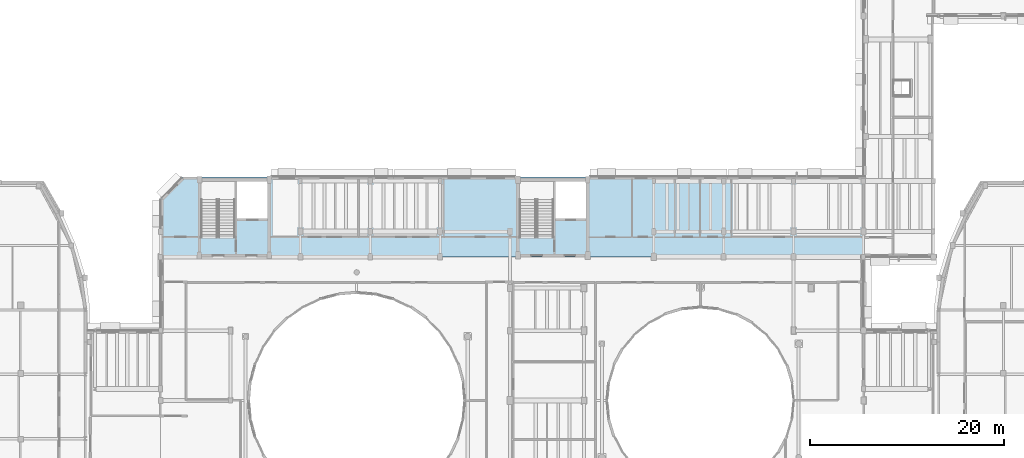
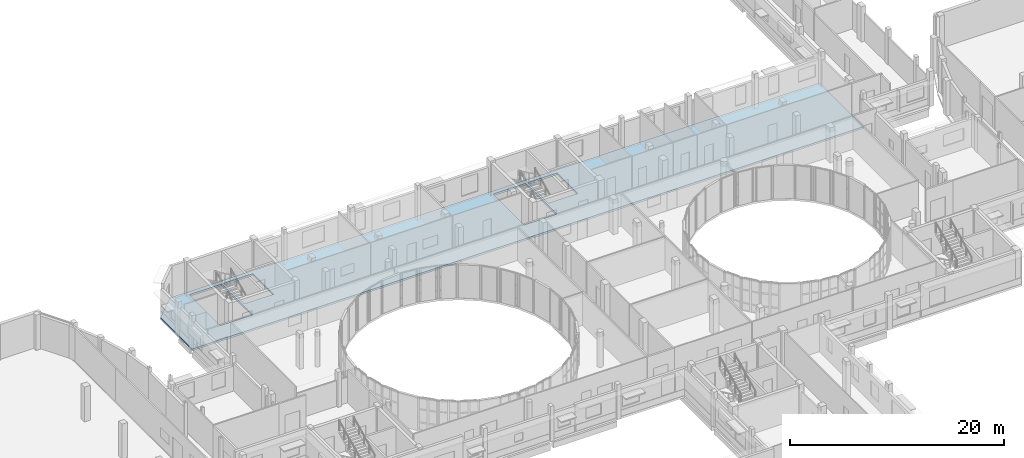
# One storey, part 71 of 105: 1 slab.
"""IFC4 building model written with IfcOpenShell, lengths in metres."""

from ifc_helpers import new_model, si_unit, direction, frame, origin, place, context, subcontext, project, spatial, polyline, outline, extrude, material, layer, layer_set, type_object, element, save


model = new_model("IFC4")

# Units and contexts
model_context = context("Model", 3, precision=1e-05, world=origin(), true_north=direction((0.0, 1.0)))
body_context = subcontext(model_context, "Body", "Model", "MODEL_VIEW")
ifc_project = project(units=[si_unit("LENGTHUNIT", "METRE"), si_unit("AREAUNIT", "SQUARE_METRE"), si_unit("VOLUMEUNIT", "CUBIC_METRE"), si_unit("PLANEANGLEUNIT", "RADIAN"), si_unit("MASSUNIT", "GRAM", prefix="KILO")], contexts=[model_context])

# Site, building, storey
site_placement = place(None, origin())
site = spatial("IfcSite", under=ifc_project, at=site_placement, CompositionType="ELEMENT")
building_placement = place(site_placement, origin())
building = spatial("IfcBuilding", under=site, at=building_placement, Name="Kelanivale Promenade Academy", CompositionType="ELEMENT")
storey_placement = place(building_placement, frame((0.0, 0.0, 4.199951171875)))
storey = spatial("IfcBuildingStorey", under=building, at=storey_placement, Name="L01", CompositionType="ELEMENT", Elevation=4.199951171875)

# Slab
ifc_material = material(Name="Concrete C35/45", Category="concrete")
ifc_layer = layer(ifc_material, 0.219970703125)
ifc_layer_set = layer_set([ifc_layer], Name="Concrete C35/45")
slab_type = type_object("IfcSlabType", Name="FS-01 Slab 220mm", PredefinedType="FLOOR", material=ifc_layer_set)
slab_placement = place(storey_placement, frame((0.0, 0.0, -0.219970703125)))
element("IfcSlab", 1, at=slab_placement, inside=storey, type_object=slab_type, Name="L01 structural slab SLB-L01-V4N", PredefinedType="FLOOR", context=body_context, shape_type="SweptSolid", body=[
    extrude(outline(polyline([(43.199951171875, 77.5400390625), (43.199951171875, 71.60009765625), (115.60009765625, 71.60009765625), (115.60009765625, 79.85009765625), (45.510009765625, 79.85009765625), (43.199951171875, 77.5400390625)]), holes=[polyline([(83.885009765625, 79.385009765625), (87.034912109375, 79.385009765625), (87.034912109375, 75.52490234375), (83.885009765625, 75.52490234375), (83.885009765625, 79.385009765625)]), polyline([(83.6650390625, 79.385009765625), (83.6650390625, 73.60498046875), (80.1650390625, 73.60498046875), (80.1650390625, 79.385009765625), (83.6650390625, 79.385009765625)]), polyline([(51.0849609375, 79.385009765625), (54.235107421875, 79.385009765625), (54.235107421875, 75.52490234375), (51.0849609375, 75.52490234375), (51.0849609375, 79.385009765625)]), polyline([(50.864990234375, 79.385009765625), (50.864990234375, 73.60498046875), (47.364990234375, 73.60498046875), (47.364990234375, 79.385009765625), (50.864990234375, 79.385009765625)])]), origin(), (0.0, 0.0, 1.0), 0.219970703125),
])

save(model, "model.ifc")
